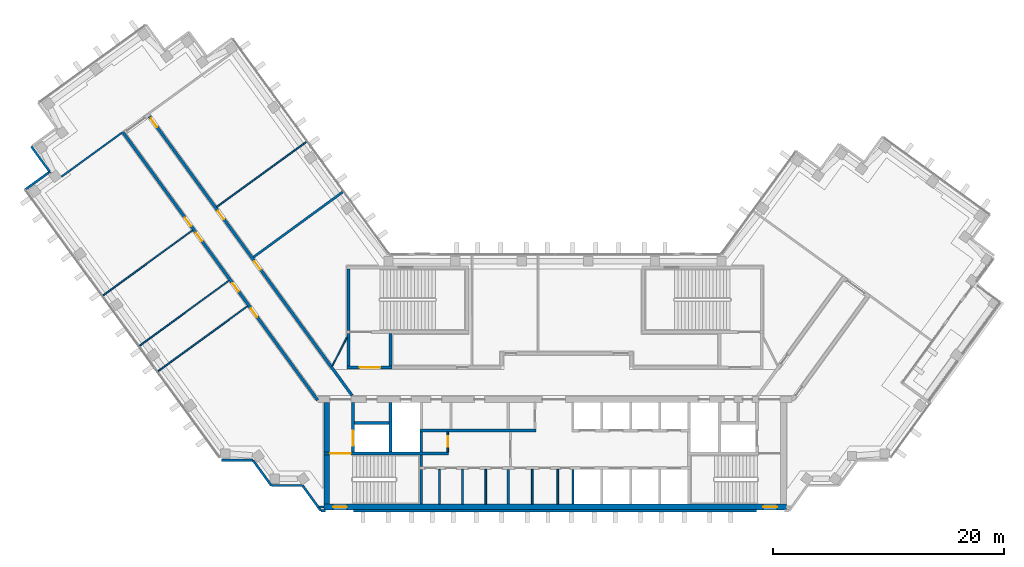
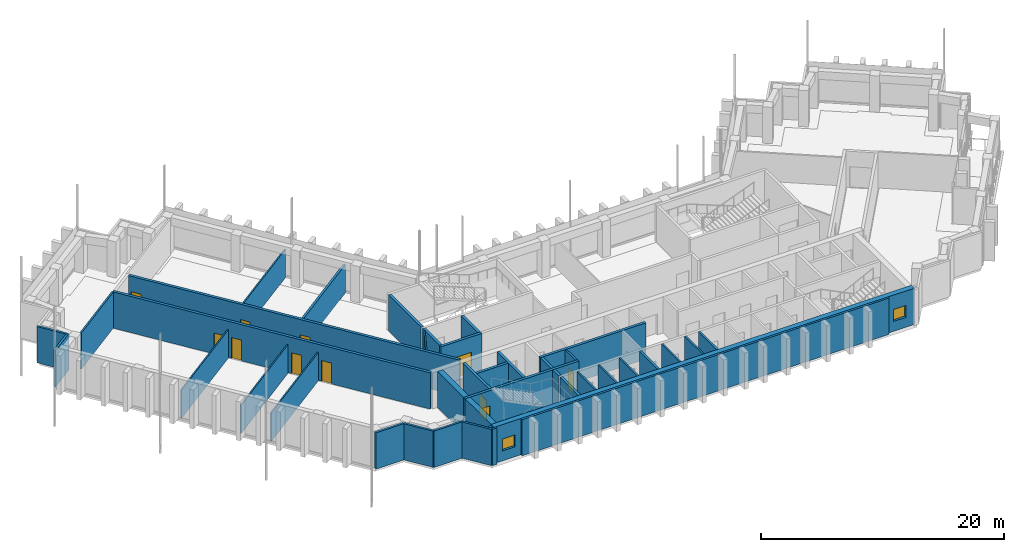
# One storey, part 8 of 14: 41 walls, 11 doors, 2 windows, 13 openings.
"""IFC4 building model written with IfcOpenShell, lengths in metres."""

from ifc_helpers import new_model, si_unit, direction, frame, frame_2d, origin, place, context, subcontext, project, spatial, rectangle, extrude, material, layer, layer_set, type_object, element, fill, save


model = new_model("IFC4")

# Units and contexts
model_context = context("Model", 3, precision=1e-05, world=origin(), true_north=direction((0.0, 1.0)))
body_context = subcontext(model_context, "Body", "Model", "MODEL_VIEW")
ifc_project = project(units=[si_unit("LENGTHUNIT", "METRE"), si_unit("AREAUNIT", "SQUARE_METRE"), si_unit("VOLUMEUNIT", "CUBIC_METRE"), si_unit("PLANEANGLEUNIT", "RADIAN"), si_unit("MASSUNIT", "GRAM", prefix="KILO")], contexts=[model_context])

# Site, building, storey
site_placement = place(None, origin())
site = spatial("IfcSite", under=ifc_project, at=site_placement, CompositionType="ELEMENT")
building_placement = place(site_placement, origin())
building = spatial("IfcBuilding", under=site, at=building_placement, Name="Quipu Civic Tower", CompositionType="ELEMENT")
storey_placement = place(building_placement, frame((0.0, 0.0, 198.0)))
storey = spatial("IfcBuildingStorey", under=building, at=storey_placement, Name="L46", CompositionType="ELEMENT", Elevation=198.0)

# Walls
ifc_material_1 = material(Name="Double gypsum plasterboard with mineral wool")
ifc_layer_1 = layer(ifc_material_1, 0.14990234375)
ifc_layer_set_1 = layer_set([ifc_layer_1], Name="Double gypsum plasterboard with mineral wool")
wall_type_1 = type_object("IfcWallType", Name="Acoustic partition 150 plasterboard", PredefinedType="PARTITIONING", material=ifc_layer_set_1)
wall_1_placement = place(storey_placement, frame((-42.69775390625, 17.809814453125, 0.0), z_axis=(0.0, 0.0, 1.0), x_axis=(0.80901688725, 0.587785399737, 0.0)))
element("IfcWall", 1, at=wall_1_placement, inside=storey, type_object=wall_type_1, Name="Partition P11", PredefinedType="PARTITIONING", context=body_context, shape_type="SweptSolid", body=[
    extrude(rectangle(XDim=6.464599609375, YDim=0.14990234375, at=frame_2d((3.232421875, 0.0))), origin(), (0.0, 0.0, 1.0), 3.64990234375),
])
ifc_material_2 = material(Name="Fired clay blockwork", Category="masonry")
ifc_layer_2 = layer(ifc_material_2, 0.199951171875)
ifc_layer_set_2 = layer_set([ifc_layer_2], Name="Fired clay blockwork")
wall_type_2 = type_object("IfcWallType", Name="Blockwork wall 200", PredefinedType="SOLIDWALL", material=ifc_layer_set_2)
wall_2_placement = place(storey_placement, frame((-26.089111328125, 10.847900390625, 0.0), z_axis=(0.0, 0.0, 1.0), x_axis=(0.807661302092, 0.589646691759, 0.0)))
element("IfcWall", 2, at=wall_2_placement, inside=storey, type_object=wall_type_2, Name="Partition P04", PredefinedType="SOLIDWALL", context=body_context, shape_type="SweptSolid", body=[
    extrude(rectangle(XDim=9.550048828125, YDim=0.199951171875, at=frame_2d((4.77490234375, 0.0))), origin(), (0.0, 0.0, 1.0), 2.85009765625),
])
ifc_material_3 = material(Name="Concrete C70/85", Category="concrete")
ifc_layer_3 = layer(ifc_material_3, 0.25)
ifc_layer_set_3 = layer_set([ifc_layer_3], Name="Concrete C70/85")
wall_type_3 = type_object("IfcWallType", Name="Core wall 250", PredefinedType="SHEAR", material=ifc_layer_set_3)
wall_3_placement = place(storey_placement, frame((-11.574951171875, -10.5, 0.0), z_axis=(0.0, 0.0, 1.0), x_axis=(0.0, 1.0, 0.0)))
element("IfcWall", 3, at=wall_3_placement, inside=storey, type_object=wall_type_3, Name="Core wall", PredefinedType="SHEAR", context=body_context, shape_type="SweptSolid", body=[
    extrude(rectangle(XDim=3.0, YDim=0.25, at=frame_2d((1.5, 0.0))), origin(), (0.0, 0.0, 1.0), 3.64990234375),
])
wall_4_placement = place(storey_placement, frame((-11.574951171875, -7.25, 0.0), z_axis=(0.0, 0.0, 1.0), x_axis=(0.0, 1.0, 0.0)))
element("IfcWall", 4, at=wall_4_placement, inside=storey, type_object=wall_type_3, Name="Core wall", PredefinedType="SHEAR", context=body_context, shape_type="SweptSolid", body=[
    extrude(rectangle(XDim=1.0, YDim=0.25, at=frame_2d((0.5, 0.0))), origin(), (0.0, 0.0, 1.0), 3.64990234375),
])

# Wall, opening, door
wall_5_placement = place(storey_placement, frame((-9.199951171875, -6.125, 0.0), z_axis=(0.0, 0.0, 1.0), x_axis=(-1.0, 0.0, 0.0)))
wall_5 = element("IfcWall", 5, at=wall_5_placement, inside=storey, type_object=wall_type_3, Name="Core wall", PredefinedType="SHEAR", context=body_context, shape_type="SweptSolid", body=[
    extrude(rectangle(XDim=10.800048828125, YDim=0.25, at=frame_2d((5.39990234375, 0.0))), origin(), (0.0, 0.0, 1.0), 3.64990234375),
])
opening_1_placement = place(wall_5_placement, frame((8.449951171875, 0.0, 0.0)))
opening_1 = element("IfcOpeningElement", 6, at=opening_1_placement, cuts=wall_5, Name="Opening CD-08", PredefinedType="OPENING", context=body_context, shape_type="SweptSolid", body=[
    extrude(rectangle(XDim=1.800048828125, YDim=2.10009765625, at=frame_2d((0.89990234375, 1.050048828125))), frame((0.0, 0.135009765625, 0.0), z_axis=(0.0, -1.0, 0.0), x_axis=(1.0, 0.0, 0.0)), (0.0, 0.0, 1.0), 0.27001953125),
])
ifc_material_4 = material(Name="Fire rated steel door", Category="steel")
door_type_1 = type_object("IfcDoorType", Name="Fire door FD90 double 1800 x 2100", OperationType="NOTDEFINED", PredefinedType="DOOR", material=ifc_material_4)
door_1_placement = place(opening_1_placement, origin())
door_1 = element("IfcDoor", 7, at=door_1_placement, inside=storey, type_object=door_type_1, Name="Door", OperationType="DOUBLE_DOOR_SINGLE_SWING", OverallHeight=2.10009765625, OverallWidth=1.800048828125, PredefinedType="DOOR", context=body_context, shape_type="SweptSolid", body=[
    extrude(rectangle(XDim=1.800048828125, YDim=2.10009765625, at=frame_2d((0.89990234375, 1.050048828125))), frame((0.0, 0.02490234375, 0.0), z_axis=(0.0, -1.0, 0.0), x_axis=(1.0, 0.0, 0.0)), (0.0, 0.0, 1.0), 0.050048828125),
])
fill(opening_1, door_1)

wall_6_placement = place(storey_placement, frame((-17.47509765625, -6.0, 0.0), z_axis=(0.0, 0.0, 1.0), x_axis=(0.0, 1.0, 0.0)))
wall_6 = element("IfcWall", 8, at=wall_6_placement, inside=storey, type_object=wall_type_3, Name="Core wall", PredefinedType="SHEAR", context=body_context, shape_type="SweptSolid", body=[
    extrude(rectangle(XDim=4.300048828125, YDim=0.25, at=frame_2d((2.14990234375, 0.0))), origin(), (0.0, 0.0, 1.0), 3.64990234375),
])
opening_2_placement = place(wall_6_placement, frame((0.550048828125, 0.0, 0.0)))
opening_2 = element("IfcOpeningElement", 9, at=opening_2_placement, cuts=wall_6, Name="Opening LD-FF1", PredefinedType="OPENING", context=body_context, shape_type="SweptSolid", body=[
    extrude(rectangle(XDim=1.300048828125, YDim=2.10009765625, at=frame_2d((0.64990234375, 1.050048828125))), frame((0.0, 0.135009765625, 0.0), z_axis=(0.0, -1.0, 0.0), x_axis=(1.0, 0.0, 0.0)), (0.0, 0.0, 1.0), 0.27001953125),
])
ifc_material_5 = material(Name="Stainless steel", Category="steel")
door_type_2 = type_object("IfcDoorType", Name="Lift landing door 1300 x 2100", OperationType="DOUBLE_DOOR_SLIDING", PredefinedType="DOOR", material=ifc_material_5)
door_2_placement = place(opening_2_placement, origin())
door_2 = element("IfcDoor", 10, at=door_2_placement, inside=storey, type_object=door_type_2, Name="Landing door FF1", OperationType="DOUBLE_DOOR_SLIDING", OverallHeight=2.10009765625, OverallWidth=1.300048828125, PredefinedType="DOOR", context=body_context, shape_type="SweptSolid", body=[
    extrude(rectangle(XDim=1.300048828125, YDim=2.10009765625, at=frame_2d((0.64990234375, 1.050048828125))), frame((0.0, 0.02490234375, 0.0), z_axis=(0.0, -1.0, 0.0), x_axis=(1.0, 0.0, 0.0)), (0.0, 0.0, 1.0), 0.050048828125),
])
fill(opening_2, door_2)

# Walls
wall_7_placement = place(storey_placement, frame((-14.22509765625, -6.0, 0.0), z_axis=(0.0, 0.0, 1.0), x_axis=(0.0, 1.0, 0.0)))
element("IfcWall", 11, at=wall_7_placement, inside=storey, type_object=wall_type_3, Name="Core wall", PredefinedType="SHEAR", context=body_context, shape_type="SweptSolid", body=[
    extrude(rectangle(XDim=4.300048828125, YDim=0.25, at=frame_2d((2.14990234375, 0.0))), origin(), (0.0, 0.0, 1.0), 3.64990234375),
])
wall_8_placement = place(storey_placement, frame((-11.574951171875, -6.0, 0.0), z_axis=(0.0, 0.0, 1.0), x_axis=(0.0, 1.0, 0.0)))
element("IfcWall", 12, at=wall_8_placement, inside=storey, type_object=wall_type_3, Name="Core wall", PredefinedType="SHEAR", context=body_context, shape_type="SweptSolid", body=[
    extrude(rectangle(XDim=1.75, YDim=0.25, at=frame_2d((0.875, 0.0))), origin(), (0.0, 0.0, 1.0), 3.64990234375),
])
wall_9_placement = place(storey_placement, frame((-11.699951171875, -4.125, 0.0), z_axis=(0.0, 0.0, 1.0), x_axis=(1.0, 0.0, 0.0)))
element("IfcWall", 13, at=wall_9_placement, inside=storey, type_object=wall_type_3, Name="Core wall", PredefinedType="SHEAR", context=body_context, shape_type="SweptSolid", body=[
    extrude(rectangle(XDim=10.050048828125, YDim=0.25, at=frame_2d((5.02490234375, 0.0))), origin(), (0.0, 0.0, 1.0), 3.64990234375),
])
wall_10_placement = place(storey_placement, frame((-17.35009765625, -3.47509765625, 0.0), z_axis=(0.0, 0.0, 1.0), x_axis=(1.0, 0.0, 0.0)))
element("IfcWall", 14, at=wall_10_placement, inside=storey, type_object=wall_type_3, Name="Core wall", PredefinedType="SHEAR", context=body_context, shape_type="SweptSolid", body=[
    extrude(rectangle(XDim=3.0, YDim=0.25, at=frame_2d((1.5, 0.0))), origin(), (0.0, 0.0, 1.0), 3.64990234375),
])

# Wall, opening, door
wall_11_placement = place(storey_placement, frame((-18.0, 1.324951171875, 0.0), z_axis=(0.0, 0.0, 1.0), x_axis=(1.0, 0.0, 0.0)))
wall_11 = element("IfcWall", 15, at=wall_11_placement, inside=storey, type_object=wall_type_3, Name="Core wall", PredefinedType="SHEAR", context=body_context, shape_type="SweptSolid", body=[
    extrude(rectangle(XDim=3.89990234375, YDim=0.25, at=frame_2d((1.949951171875, 0.0))), origin(), (0.0, 0.0, 1.0), 3.64990234375),
])
opening_3_placement = place(wall_11_placement, frame((1.10009765625, 0.0, 0.0)))
opening_3 = element("IfcOpeningElement", 16, at=opening_3_placement, cuts=wall_11, Name="Opening CD-23", PredefinedType="OPENING", context=body_context, shape_type="SweptSolid", body=[
    extrude(rectangle(XDim=1.800048828125, YDim=2.10009765625, at=frame_2d((0.89990234375, 1.050048828125))), frame((0.0, 0.135009765625, 0.0), z_axis=(0.0, -1.0, 0.0), x_axis=(1.0, 0.0, 0.0)), (0.0, 0.0, 1.0), 0.27001953125),
])
door_3_placement = place(opening_3_placement, origin())
door_3 = element("IfcDoor", 17, at=door_3_placement, inside=storey, type_object=door_type_1, Name="Lobby door", OperationType="DOUBLE_DOOR_SINGLE_SWING", OverallHeight=2.10009765625, OverallWidth=1.800048828125, PredefinedType="DOOR", context=body_context, shape_type="SweptSolid", body=[
    extrude(rectangle(XDim=1.800048828125, YDim=2.10009765625, at=frame_2d((0.89990234375, 1.050048828125))), frame((0.0, 0.02490234375, 0.0), z_axis=(0.0, -1.0, 0.0), x_axis=(1.0, 0.0, 0.0)), (0.0, 0.0, 1.0), 0.050048828125),
])
fill(opening_3, door_3)

# Walls
for number, where, z_axis, x_axis, name in (
    (18, (-17.875, 1.449951171875, 0.0), (0.0, 0.0, 1.0), (0.0, 1.0, 0.0), "Core wall"),
    (19, (-14.22509765625, 1.449951171875, 0.0), (0.0, 0.0, 1.0), (0.0, 1.0, 0.0), "Core wall"),
):
    element("IfcWall", number, at=place(storey_placement, frame(where, z_axis=z_axis, x_axis=x_axis)), inside=storey, type_object=wall_type_3, Name=name, PredefinedType="SHEAR", context=body_context, shape_type="SweptSolid", body=[
        extrude(rectangle(XDim=2.800048828125, YDim=0.25, at=frame_2d((1.39990234375, 0.0))), origin(), (0.0, 0.0, 1.0), 3.64990234375),
    ])
wall_12_placement = place(storey_placement, frame((-17.875, 4.5, 0.0), z_axis=(0.0, 0.0, 1.0), x_axis=(0.0, 1.0, 0.0)))
element("IfcWall", 20, at=wall_12_placement, inside=storey, type_object=wall_type_3, Name="Core wall", PredefinedType="SHEAR", context=body_context, shape_type="SweptSolid", body=[
    extrude(rectangle(XDim=5.35009765625, YDim=0.25, at=frame_2d((2.675048828125, 0.0))), origin(), (0.0, 0.0, 1.0), 3.64990234375),
])

# Wall, openings, windows
ifc_material_6 = material(Name="Concrete C70/85", Category="concrete")
ifc_layer_4 = layer(ifc_material_6, 0.5)
ifc_layer_set_4 = layer_set([ifc_layer_4], Name="Concrete C70/85")
wall_type_4 = type_object("IfcWallType", Name="Core wall 500", PredefinedType="SHEAR", material=ifc_layer_set_4)
wall_13_placement = place(storey_placement, frame((-20.0, -10.75, 0.0), z_axis=(0.0, 0.0, 1.0), x_axis=(1.0, 0.0, 0.0)))
wall_13 = element("IfcWall", 21, at=wall_13_placement, inside=storey, type_object=wall_type_4, Name="Core wall", PredefinedType="SHEAR", context=body_context, shape_type="SweptSolid", body=[
    extrude(rectangle(XDim=40.0, YDim=0.5, at=frame_2d((20.0, 0.0))), origin(), (0.0, 0.0, 1.0), 3.64990234375),
])
opening_4_placement = place(wall_13_placement, frame((0.800048828125, 0.0, 1.0)))
opening_4 = element("IfcOpeningElement", 22, at=opening_4_placement, cuts=wall_13, Name="Opening SV-1", PredefinedType="OPENING", context=body_context, shape_type="SweptSolid", body=[
    extrude(rectangle(XDim=1.199951171875, YDim=1.199951171875, at=frame_2d((0.60009765625, 0.60009765625))), frame((0.0, 0.260009765625, 0.0), z_axis=(0.0, -1.0, 0.0), x_axis=(1.0, 0.0, 0.0)), (0.0, 0.0, 1.0), 0.52001953125),
])
opening_5_placement = place(wall_13_placement, frame((38.0, 0.0, 1.0)))
opening_5 = element("IfcOpeningElement", 23, at=opening_5_placement, cuts=wall_13, Name="Opening SV-2", PredefinedType="OPENING", context=body_context, shape_type="SweptSolid", body=[
    extrude(rectangle(XDim=1.199951171875, YDim=1.199951171875, at=frame_2d((0.60009765625, 0.60009765625))), frame((0.0, 0.260009765625, 0.0), z_axis=(0.0, -1.0, 0.0), x_axis=(1.0, 0.0, 0.0)), (0.0, 0.0, 1.0), 0.52001953125),
])
ifc_material_7 = material(Name="Aluminium louvre", Category="aluminium")
window_type = type_object("IfcWindowType", Name="Stair ventilation louvre 1200 x 1200", PartitioningType="SINGLE_PANEL", PredefinedType="WINDOW", material=ifc_material_7)
window_1_placement = place(opening_4_placement, origin())
window_1 = element("IfcWindow", 24, at=window_1_placement, inside=storey, type_object=window_type, Name="Stair ventilation opening", OverallHeight=1.199951171875, OverallWidth=1.199951171875, PartitioningType="SINGLE_PANEL", PredefinedType="WINDOW", context=body_context, shape_type="SweptSolid", body=[
    extrude(rectangle(XDim=1.199951171875, YDim=1.199951171875, at=frame_2d((0.60009765625, 0.60009765625))), frame((0.0, 0.030029296875, 0.0), z_axis=(0.0, -1.0, 0.0), x_axis=(1.0, 0.0, 0.0)), (0.0, 0.0, 1.0), 0.06005859375),
])
fill(opening_4, window_1)
window_2_placement = place(opening_5_placement, origin())
window_2 = element("IfcWindow", 25, at=window_2_placement, inside=storey, type_object=window_type, Name="Stair ventilation opening", OverallHeight=1.199951171875, OverallWidth=1.199951171875, PartitioningType="SINGLE_PANEL", PredefinedType="WINDOW", context=body_context, shape_type="SweptSolid", body=[
    extrude(rectangle(XDim=1.199951171875, YDim=1.199951171875, at=frame_2d((0.60009765625, 0.60009765625))), frame((0.0, 0.030029296875, 0.0), z_axis=(0.0, -1.0, 0.0), x_axis=(1.0, 0.0, 0.0)), (0.0, 0.0, 1.0), 0.06005859375),
])
fill(opening_5, window_2)

# Walls
wall_14_placement = place(storey_placement, frame((-19.75, -10.5, 0.0), z_axis=(0.0, 0.0, 1.0), x_axis=(0.0, 1.0, 0.0)))
element("IfcWall", 26, at=wall_14_placement, inside=storey, type_object=wall_type_4, Name="Core wall", PredefinedType="SHEAR", context=body_context, shape_type="SweptSolid", body=[
    extrude(rectangle(XDim=4.25, YDim=0.5, at=frame_2d((2.125, 0.0))), origin(), (0.0, 0.0, 1.0), 3.64990234375),
])
wall_15_placement = place(storey_placement, frame((-19.75, -6.0, 0.0), z_axis=(0.0, 0.0, 1.0), x_axis=(0.0, 1.0, 0.0)))
element("IfcWall", 27, at=wall_15_placement, inside=storey, type_object=wall_type_4, Name="Core wall", PredefinedType="SHEAR", context=body_context, shape_type="SweptSolid", body=[
    extrude(rectangle(XDim=4.300048828125, YDim=0.5, at=frame_2d((2.14990234375, 0.0))), origin(), (0.0, 0.0, 1.0), 3.64990234375),
])

# Wall, openings, doors
ifc_material_8 = material(Name="Concrete C50/60", Category="concrete")
ifc_layer_5 = layer(ifc_material_8, 0.25)
ifc_layer_set_5 = layer_set([ifc_layer_5], Name="Concrete C50/60")
wall_type_5 = type_object("IfcWallType", Name="Corridor wall 250 concrete", PredefinedType="SOLIDWALL", material=ifc_layer_set_5)
wall_16_placement = place(storey_placement, frame((-20.531005859375, -1.5234375, 0.0), z_axis=(0.0, 0.0, 1.0), x_axis=(-0.587785812891, 0.809016587076, 0.0)))
wall_16 = element("IfcWall", 28, at=wall_16_placement, inside=storey, type_object=wall_type_5, Name="Corridor wall C04", PredefinedType="SOLIDWALL", context=body_context, shape_type="SweptSolid", body=[
    extrude(rectangle(XDim=28.67041015625, YDim=0.25, at=frame_2d((14.335205078125, 0.0))), origin(), (0.0, 0.0, 1.0), 3.64990234375),
])
opening_6_placement = place(wall_16_placement, frame((17.015380859375, 0.0, 0.0)))
opening_6 = element("IfcOpeningElement", 29, at=opening_6_placement, cuts=wall_16, Name="Opening D011", PredefinedType="OPENING", context=body_context, shape_type="SweptSolid", body=[
    extrude(rectangle(XDim=0.89990234375, YDim=2.10009765625, at=frame_2d((0.449951171875, 1.050048828125))), frame((0.0, 0.135009765625, 0.0), z_axis=(0.0, -1.0, 0.0), x_axis=(1.0, 0.0, 0.0)), (0.0, 0.0, 1.0), 0.27001953125),
])
opening_7_placement = place(wall_16_placement, frame((8.91552734375, 0.0, 0.0)))
opening_7 = element("IfcOpeningElement", 30, at=opening_7_placement, cuts=wall_16, Name="Opening D013", PredefinedType="OPENING", context=body_context, shape_type="SweptSolid", body=[
    extrude(rectangle(XDim=0.89990234375, YDim=2.10009765625, at=frame_2d((0.449951171875, 1.050048828125))), frame((0.0, 0.135009765625, 0.0), z_axis=(0.0, -1.0, 0.0), x_axis=(1.0, 0.0, 0.0)), (0.0, 0.0, 1.0), 0.27001953125),
])
opening_8_placement = place(wall_16_placement, frame((18.6162109375, 0.0, 0.0)))
opening_8 = element("IfcOpeningElement", 31, at=opening_8_placement, cuts=wall_16, Name="Opening D010", PredefinedType="OPENING", context=body_context, shape_type="SweptSolid", body=[
    extrude(rectangle(XDim=0.89990234375, YDim=2.10009765625, at=frame_2d((0.449951171875, 1.050048828125))), frame((0.0, 0.135009765625, 0.0), z_axis=(0.0, -1.0, 0.0), x_axis=(1.0, 0.0, 0.0)), (0.0, 0.0, 1.0), 0.27001953125),
])
opening_9_placement = place(wall_16_placement, frame((11.615234375, 0.0, 0.0)))
opening_9 = element("IfcOpeningElement", 32, at=opening_9_placement, cuts=wall_16, Name="Opening D012", PredefinedType="OPENING", context=body_context, shape_type="SweptSolid", body=[
    extrude(rectangle(XDim=0.89990234375, YDim=2.10009765625, at=frame_2d((0.449951171875, 1.050048828125))), frame((0.0, 0.135009765625, 0.0), z_axis=(0.0, -1.0, 0.0), x_axis=(1.0, 0.0, 0.0)), (0.0, 0.0, 1.0), 0.27001953125),
])
ifc_material_9 = material(Name="Fire rated timber door set with metal frame", Category="wood")
door_type_3 = type_object("IfcDoorType", Name="Single door 900 x 2100 FD60", OperationType="NOTDEFINED", PredefinedType="DOOR", material=ifc_material_9)
door_4_placement = place(opening_6_placement, origin())
door_4 = element("IfcDoor", 33, at=door_4_placement, inside=storey, type_object=door_type_3, Name="Door D011", OperationType="SINGLE_SWING_RIGHT", OverallHeight=2.10009765625, OverallWidth=0.89990234375, PredefinedType="DOOR", context=body_context, shape_type="SweptSolid", body=[
    extrude(rectangle(XDim=0.89990234375, YDim=2.10009765625, at=frame_2d((0.449951171875, 1.050048828125))), frame((0.0, 0.02490234375, 0.0), z_axis=(0.0, -1.0, 0.0), x_axis=(1.0, 0.0, 0.0)), (0.0, 0.0, 1.0), 0.050048828125),
])
fill(opening_6, door_4)
door_5_placement = place(opening_7_placement, origin())
door_5 = element("IfcDoor", 34, at=door_5_placement, inside=storey, type_object=door_type_3, Name="Door D013", OperationType="SINGLE_SWING_RIGHT", OverallHeight=2.10009765625, OverallWidth=0.89990234375, PredefinedType="DOOR", context=body_context, shape_type="SweptSolid", body=[
    extrude(rectangle(XDim=0.89990234375, YDim=2.10009765625, at=frame_2d((0.449951171875, 1.050048828125))), frame((0.0, 0.02490234375, 0.0), z_axis=(0.0, -1.0, 0.0), x_axis=(1.0, 0.0, 0.0)), (0.0, 0.0, 1.0), 0.050048828125),
])
fill(opening_7, door_5)
door_6_placement = place(opening_8_placement, origin())
door_6 = element("IfcDoor", 35, at=door_6_placement, inside=storey, type_object=door_type_3, Name="Door D010", OperationType="SINGLE_SWING_LEFT", OverallHeight=2.10009765625, OverallWidth=0.89990234375, PredefinedType="DOOR", context=body_context, shape_type="SweptSolid", body=[
    extrude(rectangle(XDim=0.89990234375, YDim=2.10009765625, at=frame_2d((0.449951171875, 1.050048828125))), frame((0.0, 0.02490234375, 0.0), z_axis=(0.0, -1.0, 0.0), x_axis=(1.0, 0.0, 0.0)), (0.0, 0.0, 1.0), 0.050048828125),
])
fill(opening_8, door_6)
door_7_placement = place(opening_9_placement, origin())
door_7 = element("IfcDoor", 36, at=door_7_placement, inside=storey, type_object=door_type_3, Name="Door D012", OperationType="SINGLE_SWING_RIGHT", OverallHeight=2.10009765625, OverallWidth=0.89990234375, PredefinedType="DOOR", context=body_context, shape_type="SweptSolid", body=[
    extrude(rectangle(XDim=0.89990234375, YDim=2.10009765625, at=frame_2d((0.449951171875, 1.050048828125))), frame((0.0, 0.02490234375, 0.0), z_axis=(0.0, -1.0, 0.0), x_axis=(1.0, 0.0, 0.0)), (0.0, 0.0, 1.0), 0.050048828125),
])
fill(opening_9, door_7)

wall_17_placement = place(storey_placement, frame((-35.092041015625, 23.02685546875, 0.0), z_axis=(0.0, 0.0, 1.0), x_axis=(0.587784076945, -0.809017848313, 0.0)))
wall_17 = element("IfcWall", 37, at=wall_17_placement, inside=storey, type_object=wall_type_5, Name="Corridor wall C06", PredefinedType="SOLIDWALL", context=body_context, shape_type="SweptSolid", body=[
    extrude(rectangle(XDim=29.85302734375, YDim=0.25, at=frame_2d((14.926513671875, 0.0))), origin(), (0.0, 0.0, 1.0), 3.64990234375),
])
opening_10_placement = place(wall_17_placement, frame((10.094970703125, 0.0, 0.0)))
opening_10 = element("IfcOpeningElement", 38, at=opening_10_placement, cuts=wall_17, Name="Opening D008", PredefinedType="OPENING", context=body_context, shape_type="SweptSolid", body=[
    extrude(rectangle(XDim=0.89990234375, YDim=2.10009765625, at=frame_2d((0.449951171875, 1.050048828125))), frame((0.0, 0.135009765625, 0.0), z_axis=(0.0, -1.0, 0.0), x_axis=(1.0, 0.0, 0.0)), (0.0, 0.0, 1.0), 0.27001953125),
])
opening_11_placement = place(wall_17_placement, frame((15.495361328125, 0.0, 0.0)))
opening_11 = element("IfcOpeningElement", 39, at=opening_11_placement, cuts=wall_17, Name="Opening D009", PredefinedType="OPENING", context=body_context, shape_type="SweptSolid", body=[
    extrude(rectangle(XDim=0.89990234375, YDim=2.10009765625, at=frame_2d((0.449951171875, 1.050048828125))), frame((0.0, 0.135009765625, 0.0), z_axis=(0.0, -1.0, 0.0), x_axis=(1.0, 0.0, 0.0)), (0.0, 0.0, 1.0), 0.27001953125),
])
opening_12_placement = place(wall_17_placement, frame((0.223876953125, 0.0, 0.0)))
opening_12 = element("IfcOpeningElement", 40, at=opening_12_placement, cuts=wall_17, Name="Opening D007", PredefinedType="OPENING", context=body_context, shape_type="SweptSolid", body=[
    extrude(rectangle(XDim=0.89990234375, YDim=2.10009765625, at=frame_2d((0.449951171875, 1.050048828125))), frame((0.0, 0.135009765625, 0.0), z_axis=(0.0, -1.0, 0.0), x_axis=(1.0, 0.0, 0.0)), (0.0, 0.0, 1.0), 0.27001953125),
])
door_8_placement = place(opening_10_placement, origin())
door_8 = element("IfcDoor", 41, at=door_8_placement, inside=storey, type_object=door_type_3, Name="Door D008", OperationType="SINGLE_SWING_LEFT", OverallHeight=2.10009765625, OverallWidth=0.89990234375, PredefinedType="DOOR", context=body_context, shape_type="SweptSolid", body=[
    extrude(rectangle(XDim=0.89990234375, YDim=2.10009765625, at=frame_2d((0.449951171875, 1.050048828125))), frame((0.0, 0.02490234375, 0.0), z_axis=(0.0, -1.0, 0.0), x_axis=(1.0, 0.0, 0.0)), (0.0, 0.0, 1.0), 0.050048828125),
])
fill(opening_10, door_8)
door_9_placement = place(opening_11_placement, origin())
door_9 = element("IfcDoor", 42, at=door_9_placement, inside=storey, type_object=door_type_3, Name="Door D009", OperationType="SINGLE_SWING_LEFT", OverallHeight=2.10009765625, OverallWidth=0.89990234375, PredefinedType="DOOR", context=body_context, shape_type="SweptSolid", body=[
    extrude(rectangle(XDim=0.89990234375, YDim=2.10009765625, at=frame_2d((0.449951171875, 1.050048828125))), frame((0.0, 0.02490234375, 0.0), z_axis=(0.0, -1.0, 0.0), x_axis=(1.0, 0.0, 0.0)), (0.0, 0.0, 1.0), 0.050048828125),
])
fill(opening_11, door_9)
door_10_placement = place(opening_12_placement, origin())
door_10 = element("IfcDoor", 43, at=door_10_placement, inside=storey, type_object=door_type_3, Name="Door D007", OperationType="SINGLE_SWING_LEFT", OverallHeight=2.10009765625, OverallWidth=0.89990234375, PredefinedType="DOOR", context=body_context, shape_type="SweptSolid", body=[
    extrude(rectangle(XDim=0.89990234375, YDim=2.10009765625, at=frame_2d((0.449951171875, 1.050048828125))), frame((0.0, 0.02490234375, 0.0), z_axis=(0.0, -1.0, 0.0), x_axis=(1.0, 0.0, 0.0)), (0.0, 0.0, 1.0), 0.050048828125),
])
fill(opening_12, door_10)

# Walls
ifc_material_10 = material(Name="Gypsum plasterboard on light gauge framing")
ifc_layer_6 = layer(ifc_material_10, 0.1201171875)
ifc_layer_set_6 = layer_set([ifc_layer_6], Name="Gypsum plasterboard on light gauge framing")
wall_type_6 = type_object("IfcWallType", Name="Partition 120 plasterboard", PredefinedType="PARTITIONING", material=ifc_layer_set_6)
wall_18_placement = place(storey_placement, frame((-21.525146484375, 20.8134765625, 0.0), z_axis=(0.0, 0.0, 1.0), x_axis=(-0.808994684961, -0.587815957341, 0.0)))
element("IfcWall", 44, at=wall_18_placement, inside=storey, type_object=wall_type_6, Name="Partition P05", PredefinedType="PARTITIONING", context=body_context, shape_type="SweptSolid", body=[
    extrude(rectangle(XDim=9.55029296875, YDim=0.1201171875, at=frame_2d((4.775146484375, 0.0))), origin(), (0.0, 0.0, 1.0), 2.85009765625),
])
wall_19_placement = place(storey_placement, frame((-31.356201171875, 13.163818359375, 0.0), z_axis=(0.0, 0.0, 1.0), x_axis=(-0.809102944047, -0.587666934526, 0.0)))
element("IfcWall", 45, at=wall_19_placement, inside=storey, type_object=wall_type_6, Name="Partition P07", PredefinedType="PARTITIONING", context=body_context, shape_type="SweptSolid", body=[
    extrude(rectangle(XDim=9.550048828125, YDim=0.1201171875, at=frame_2d((4.77490234375, 0.0))), origin(), (0.0, 0.0, 1.0), 2.85009765625),
])
wall_20_placement = place(storey_placement, frame((-35.919189453125, 3.196533203125, 0.0), z_axis=(0.0, 0.0, 1.0), x_axis=(0.807645841498, 0.589667868135, 0.0)))
element("IfcWall", 46, at=wall_20_placement, inside=storey, type_object=wall_type_6, Name="Partition P08", PredefinedType="PARTITIONING", context=body_context, shape_type="SweptSolid", body=[
    extrude(rectangle(XDim=9.550537109375, YDim=0.1201171875, at=frame_2d((4.775390625, 0.0))), origin(), (0.0, 0.0, 1.0), 2.85009765625),
])
wall_21_placement = place(storey_placement, frame((-26.59521484375, 6.61083984375, 0.0), z_axis=(0.0, 0.0, 1.0), x_axis=(-0.80900684162, -0.587799226107, 0.0)))
element("IfcWall", 47, at=wall_21_placement, inside=storey, type_object=wall_type_6, Name="Partition P09", PredefinedType="PARTITIONING", context=body_context, shape_type="SweptSolid", body=[
    extrude(rectangle(XDim=9.550048828125, YDim=0.1201171875, at=frame_2d((4.77490234375, 0.0))), origin(), (0.0, 0.0, 1.0), 2.85009765625),
])
wall_22_placement = place(storey_placement, frame((-19.260986328125, 1.449951171875, 0.0), z_axis=(0.0, 0.0, 1.0), x_axis=(0.453950796792, 0.891026752736, 0.0)))
element("IfcWall", 48, at=wall_22_placement, inside=storey, type_object=wall_type_6, Name="Partition P13", PredefinedType="PARTITIONING", context=body_context, shape_type="SweptSolid", body=[
    extrude(rectangle(XDim=2.77783203125, YDim=0.1201171875, at=frame_2d((1.388916015625, 0.0))), origin(), (0.0, 0.0, 1.0), 3.64990234375),
])
ifc_material_11 = material(Name="Gypsum board partition")
ifc_layer_7 = layer(ifc_material_11, 0.14990234375)
ifc_layer_set_7 = layer_set([ifc_layer_7], Name="Gypsum board partition")
wall_type_7 = type_object("IfcWallType", Name="Partition 150", PredefinedType="PARTITIONING", material=ifc_layer_set_7)
for number, where, z_axis, x_axis, name in (
    (49, (-10.0, -10.5, 0.0), (0.0, 0.0, 1.0), (0.0, 1.0, 0.0), "Partition"),
    (50, (-8.0, -10.5, 0.0), (0.0, 0.0, 1.0), (0.0, 1.0, 0.0), "Partition"),
    (51, (-6.0, -10.5, 0.0), (0.0, 0.0, 1.0), (0.0, 1.0, 0.0), "Partition"),
    (52, (-1.97509765625, -10.5, 0.0), (0.0, 0.0, 1.0), (0.0, 1.0, 0.0), "Partition"),
    (53, (0.22509765625, -10.5, 0.0), (0.0, 0.0, 1.0), (0.0, 1.0, 0.0), "Partition"),
):
    element("IfcWall", number, at=place(storey_placement, frame(where, z_axis=z_axis, x_axis=x_axis)), inside=storey, type_object=wall_type_7, Name=name, PredefinedType="PARTITIONING", context=body_context, shape_type="SweptSolid", body=[
        extrude(rectangle(XDim=3.0, YDim=0.14990234375, at=frame_2d((1.5, 0.0))), origin(), (0.0, 0.0, 1.0), 3.64990234375),
    ])

# Wall, opening, door
wall_23_placement = place(storey_placement, frame((-9.27490234375, -4.25, 0.0), z_axis=(0.0, 0.0, 1.0), x_axis=(0.0, -1.0, 0.0)))
wall_23 = element("IfcWall", 54, at=wall_23_placement, inside=storey, type_object=wall_type_7, Name="Partition", PredefinedType="PARTITIONING", context=body_context, shape_type="SweptSolid", body=[
    extrude(rectangle(XDim=1.75, YDim=0.14990234375, at=frame_2d((0.875, 0.0))), origin(), (0.0, 0.0, 1.0), 3.64990234375),
])
opening_13_placement = place(wall_23_placement, frame((0.39990234375, 0.0, 0.0)))
opening_13 = element("IfcOpeningElement", 55, at=opening_13_placement, cuts=wall_23, Name="Opening CD-11", PredefinedType="OPENING", context=body_context, shape_type="SweptSolid", body=[
    extrude(rectangle(XDim=0.89990234375, YDim=2.10009765625, at=frame_2d((0.449951171875, 1.050048828125))), frame((0.0, 0.0849609375, 0.0), z_axis=(0.0, -1.0, 0.0), x_axis=(1.0, 0.0, 0.0)), (0.0, 0.0, 1.0), 0.169921875),
])
ifc_material_12 = material(Name="Fire rated steel door", Category="steel")
door_type_4 = type_object("IfcDoorType", Name="Fire door FD60 900 x 2100", OperationType="NOTDEFINED", PredefinedType="DOOR", material=ifc_material_12)
door_11_placement = place(opening_13_placement, origin())
door_11 = element("IfcDoor", 56, at=door_11_placement, inside=storey, type_object=door_type_4, Name="Door", OperationType="SINGLE_SWING_LEFT", OverallHeight=2.10009765625, OverallWidth=0.89990234375, PredefinedType="DOOR", context=body_context, shape_type="SweptSolid", body=[
    extrude(rectangle(XDim=0.89990234375, YDim=2.10009765625, at=frame_2d((0.449951171875, 1.050048828125))), frame((0.0, 0.02490234375, 0.0), z_axis=(0.0, -1.0, 0.0), x_axis=(1.0, 0.0, 0.0)), (0.0, 0.0, 1.0), 0.050048828125),
])
fill(opening_13, door_11)

# Walls
ifc_material_13 = material(Name="Precast concrete C40/50", Category="concrete")
wall_type_8 = type_object("IfcWallType", Name="Precast cladding wall", PredefinedType="SOLIDWALL", material=ifc_material_13)
for number, where, z_axis, x_axis, name in (
    (57, (-45.29638671875, 20.43359375, 0.0), (0.0, 0.0, 1.0), (0.587762999008, -0.809033161865, 0.0), "Precast cladding wall L46 P21"),
    (58, (-43.658203125, 18.271728515625, 0.0), (0.0, 0.0, 1.0), (-0.808958916286, -0.58786518162, 0.0), "Precast cladding wall L46 P22"),
    (59, (-28.829833984375, -6.71923828125, 0.0), (0.0, 0.0, 1.0), (1.0, 0.0, 0.0), "Precast cladding wall L46 P24"),
):
    element("IfcWall", number, at=place(storey_placement, frame(where, z_axis=z_axis, x_axis=x_axis)), inside=storey, type_object=wall_type_8, Name=name, PredefinedType="SOLIDWALL", context=body_context, shape_type="SweptSolid", body=[
        extrude(rectangle(XDim=2.699951171875, YDim=0.199951171875, at=frame_2d((1.35009765625, 0.0))), origin(), (0.0, 0.0, 1.0), 3.64990234375),
    ])
wall_24_placement = place(storey_placement, frame((-26.1201171875, -6.72412109375, 0.0), z_axis=(0.0, 0.0, 1.0), x_axis=(0.587720002413, -0.809064397168, 0.0)))
element("IfcWall", 60, at=wall_24_placement, inside=storey, type_object=wall_type_8, Name="Precast cladding wall L46 P25", PredefinedType="SOLIDWALL", context=body_context, shape_type="SweptSolid", body=[
    extrude(rectangle(XDim=2.7001953125, YDim=0.199951171875, at=frame_2d((1.35009765625, 0.0))), origin(), (0.0, 0.0, 1.0), 3.64990234375),
])
wall_25_placement = place(storey_placement, frame((-24.542724609375, -8.90380859375, 0.0), z_axis=(0.0, 0.0, 1.0), x_axis=(1.0, 0.0, 0.0)))
element("IfcWall", 61, at=wall_25_placement, inside=storey, type_object=wall_type_8, Name="Precast cladding wall L46 P26", PredefinedType="SOLIDWALL", context=body_context, shape_type="SweptSolid", body=[
    extrude(rectangle(XDim=2.699951171875, YDim=0.199951171875, at=frame_2d((1.35009765625, 0.0))), origin(), (0.0, 0.0, 1.0), 3.64990234375),
])
wall_26_placement = place(storey_placement, frame((-21.8330078125, -8.90869140625, 0.0), z_axis=(0.0, 0.0, 1.0), x_axis=(0.587766567315, -0.809030569476, 0.0)))
element("IfcWall", 62, at=wall_26_placement, inside=storey, type_object=wall_type_8, Name="Precast cladding wall L46 P27", PredefinedType="SOLIDWALL", context=body_context, shape_type="SweptSolid", body=[
    extrude(rectangle(XDim=2.687744140625, YDim=0.199951171875, at=frame_2d((1.34375, 0.0))), origin(), (0.0, 0.0, 1.0), 3.64990234375),
])
wall_27_placement = place(storey_placement, frame((-20.255859375, -11.087890625, 0.0), z_axis=(0.0, 0.0, 1.0), x_axis=(1.0, 0.0, 0.0)))
element("IfcWall", 63, at=wall_27_placement, inside=storey, type_object=wall_type_8, Name="Precast cladding wall L46 P28", PredefinedType="SOLIDWALL", context=body_context, shape_type="SweptSolid", body=[
    extrude(rectangle(XDim=0.40576171875, YDim=0.199951171875, at=frame_2d((0.202880859375, 0.0))), origin(), (0.0, 0.0, 1.0), 3.64990234375),
])
wall_28_placement = place(storey_placement, frame((-17.44384765625, -11.087890625, 0.0), z_axis=(0.0, 0.0, 1.0), x_axis=(1.0, 0.0, 0.0)))
element("IfcWall", 64, at=wall_28_placement, inside=storey, type_object=wall_type_8, Name="Precast cladding wall L46 P29", PredefinedType="SOLIDWALL", context=body_context, shape_type="SweptSolid", body=[
    extrude(rectangle(XDim=34.8876953125, YDim=0.199951171875, at=frame_2d((17.44384765625, 0.0))), origin(), (0.0, 0.0, 1.0), 3.64990234375),
])
wall_29_placement = place(storey_placement, frame((-19.97998046875, -10.75, 0.0), z_axis=(0.0, 0.0, 1.0), x_axis=(-1.0, 0.0, 0.0)))
element("IfcWall", 65, at=wall_29_placement, inside=storey, type_object=wall_type_8, Name="Precast cladding return L46 W", PredefinedType="SOLIDWALL", context=body_context, shape_type="SweptSolid", body=[
    extrude(rectangle(XDim=0.41650390625, YDim=0.199951171875, at=frame_2d((0.208251953125, 0.0))), origin(), (0.0, 0.0, 1.0), 3.64990234375),
])
ifc_material_14 = material(Name="Concrete C40/50", Category="concrete")
ifc_layer_8 = layer(ifc_material_14, 0.199951171875)
ifc_layer_set_8 = layer_set([ifc_layer_8], Name="Concrete C40/50")
wall_type_9 = type_object("IfcWallType", Name="Shaft wall 200", PredefinedType="SOLIDWALL", material=ifc_layer_set_8)
for number, where, z_axis, x_axis, name in (
    (66, (-4.050048828125, -10.5, 0.0), (0.0, 0.0, 1.0), (0.0, 1.0, 0.0), "Shaft wall"),
    (67, (1.550048828125, -10.5, 0.0), (0.0, 0.0, 1.0), (0.0, 1.0, 0.0), "Shaft wall"),
):
    element("IfcWall", number, at=place(storey_placement, frame(where, z_axis=z_axis, x_axis=x_axis)), inside=storey, type_object=wall_type_9, Name=name, PredefinedType="SOLIDWALL", context=body_context, shape_type="SweptSolid", body=[
        extrude(rectangle(XDim=3.0, YDim=0.199951171875, at=frame_2d((1.5, 0.0))), origin(), (0.0, 0.0, 1.0), 3.64990234375),
    ])

save(model, "model.ifc")
